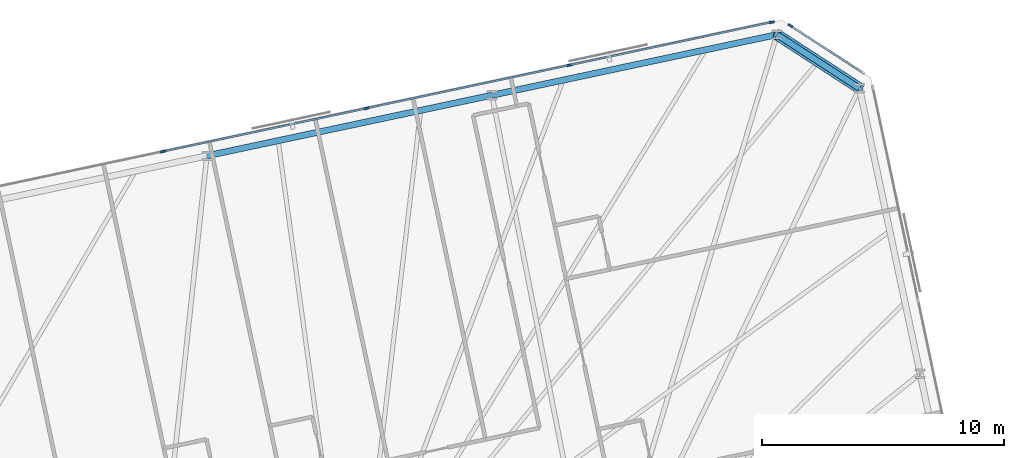
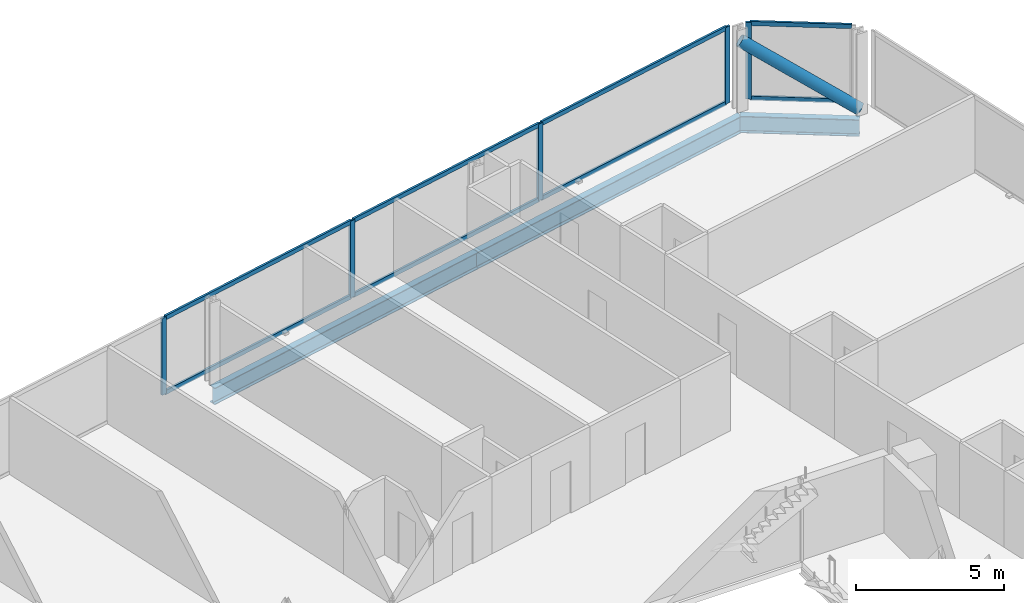
# One storey, part 11 of 20: 14 members, 3 beams, 2 elements without a shape of their own.
"""IFC4 building model written with IfcOpenShell, lengths in metres."""

from ifc_helpers import new_model, si_unit, direction, frame, origin, origin_2d, place, context, subcontext, project, spatial, rectangle, hollow_circle, i_section, extrude, material, material_profile, profile_set, type_object, element, aggregate, save


model = new_model("IFC4")

# Units and contexts
model_context = context("Model", 3, precision=1e-05, world=origin(), true_north=direction((0.0, 1.0)))
body_context = subcontext(model_context, "Body", "Model", "MODEL_VIEW")
ifc_project = project(units=[si_unit("LENGTHUNIT", "METRE"), si_unit("AREAUNIT", "SQUARE_METRE"), si_unit("VOLUMEUNIT", "CUBIC_METRE"), si_unit("PLANEANGLEUNIT", "RADIAN"), si_unit("MASSUNIT", "GRAM", prefix="KILO")], contexts=[model_context])

# Site, building, storey
site_placement = place(None, origin())
site = spatial("IfcSite", under=ifc_project, at=site_placement, CompositionType="ELEMENT")
building_placement = place(site_placement, origin())
building = spatial("IfcBuilding", under=site, at=building_placement, Name="Menara Jurai Vektor", CompositionType="ELEMENT")
storey_placement = place(building_placement, frame((0.0, 0.0, 185.39990234375)))
storey = spatial("IfcBuildingStorey", under=building, at=storey_placement, Name="L48", CompositionType="ELEMENT", Elevation=185.39990234375)

# Curtain wall, member
ifc_material_1 = material(Name="Anodised Pale Aluminium & Low-E Double Glazing", Category="aluminium")
curtain_wall_type = type_object("IfcCurtainWallType", Name="CW-BLK3", PredefinedType="NOTDEFINED", material=ifc_material_1)
curtain_wall_1_placement = place(storey_placement, origin())
curtain_wall_1 = element("IfcCurtainWall", 1, at=curtain_wall_1_placement, inside=storey, type_object=curtain_wall_type, Name="Unitised Curtain Wall L48 F04", PredefinedType="NOTDEFINED")
ifc_material_2 = material(Name="Anodised Pale Aluminium Mullion", Category="aluminium")
ifc_material_profile_1 = material_profile(ifc_material_2, rectangle(XDim=0.0849609375, YDim=0.205078125, at=origin_2d()), Name="ALU MUL 85x205")
ifc_profile_set_1 = profile_set([ifc_material_profile_1], Name="Anodised Pale Aluminium Mullion")
member_type_1 = type_object("IfcMemberType", Name="CW-BLK3-MUL", PredefinedType="MULLION", material=ifc_profile_set_1)
member_1_placement = place(storey_placement, frame((23.219970703125, 29.920654296875, 0.0), z_axis=(0.0, 0.0, 1.0), x_axis=(-0.544617794346, -0.838684361415, 0.0)))
member_1 = element("IfcMember", 2, at=member_1_placement, type_object=member_type_1, Name="CW-03 mullion 2", PredefinedType="MULLION", context=body_context, shape_type="SweptSolid", body=[
    extrude(rectangle(XDim=0.0849609375, YDim=0.205078125, at=origin_2d()), origin(), (0.0, 0.0, 1.0), 3.175048828125),
])

# Curtain wall, members
curtain_wall_2_placement = place(storey_placement, origin())
curtain_wall_2 = element("IfcCurtainWall", 3, at=curtain_wall_2_placement, inside=storey, type_object=curtain_wall_type, Name="Unitised Curtain Wall L48 F05", PredefinedType="NOTDEFINED")
member_2_placement = place(storey_placement, frame((22.452392578125, 30.062744140625, 0.0), z_axis=(0.0, 0.0, 1.0), x_axis=(0.207911344156, -0.978147674419, 0.0)))
member_2 = element("IfcMember", 4, at=member_2_placement, type_object=member_type_1, Name="CW-03 mullion 1", PredefinedType="MULLION", context=body_context, shape_type="SweptSolid", body=[
    extrude(rectangle(XDim=0.0849609375, YDim=0.205078125, at=origin_2d()), origin(), (0.0, 0.0, 1.0), 3.175048828125),
])
member_3_placement = place(storey_placement, frame((14.104248046875, 28.288330078125, 0.0), z_axis=(0.0, 0.0, 1.0), x_axis=(0.207911344156, -0.978147674419, 0.0)))
member_3 = element("IfcMember", 5, at=member_3_placement, type_object=member_type_1, Name="CW-03 mullion 2", PredefinedType="MULLION", context=body_context, shape_type="SweptSolid", body=[
    extrude(rectangle(XDim=0.0849609375, YDim=0.205078125, at=origin_2d()), origin(), (0.0, 0.0, 1.0), 3.175048828125),
])
member_4_placement = place(storey_placement, frame((5.71435546875, 26.505126953125, 0.0), z_axis=(0.0, 0.0, 1.0), x_axis=(0.207911344156, -0.978147674419, 0.0)))
member_4 = element("IfcMember", 6, at=member_4_placement, type_object=member_type_1, Name="CW-03 mullion 3", PredefinedType="MULLION", context=body_context, shape_type="SweptSolid", body=[
    extrude(rectangle(XDim=0.0849609375, YDim=0.205078125, at=origin_2d()), origin(), (0.0, 0.0, 1.0), 3.175048828125),
])
member_5_placement = place(storey_placement, frame((-2.67529296875, 24.721923828125, 0.0), z_axis=(0.0, 0.0, 1.0), x_axis=(0.207911344156, -0.978147674419, 0.0)))
member_5 = element("IfcMember", 7, at=member_5_placement, type_object=member_type_1, Name="CW-03 mullion 4", PredefinedType="MULLION", context=body_context, shape_type="SweptSolid", body=[
    extrude(rectangle(XDim=0.0849609375, YDim=0.205078125, at=origin_2d()), origin(), (0.0, 0.0, 1.0), 3.175048828125),
])

# Member
ifc_material_3 = material(Name="Anodised Pale Aluminium Transom", Category="aluminium")
ifc_material_profile_2 = material_profile(ifc_material_3, rectangle(XDim=0.0849609375, YDim=0.175048828125, at=origin_2d()), Name="ALU TRN 85x175")
ifc_profile_set_2 = profile_set([ifc_material_profile_2], Name="Anodised Pale Aluminium Transom")
member_type_2 = type_object("IfcMemberType", Name="CW-BLK3-TRN", PredefinedType="USERDEFINED", material=ifc_profile_set_2)
member_6_placement = place(storey_placement, frame((26.15234375, 28.016357421875, 0.04248046875), z_axis=(-0.83867770631, 0.54462804274, 0.0), x_axis=(-0.54462804274, -0.83867770631, 0.0)))
member_6 = element("IfcMember", 8, at=member_6_placement, type_object=member_type_2, Name="CW-03 transom 1.1", ObjectType="TRANSOM", PredefinedType="USERDEFINED", context=body_context, shape_type="SweptSolid", body=[
    extrude(rectangle(XDim=0.0849609375, YDim=0.175048828125, at=origin_2d()), origin(), (0.0, 0.0, 1.0), 3.453857421875),
])

member_7_placement = place(storey_placement, frame((26.15234375, 28.016357421875, 3.132568359375), z_axis=(-0.83867770631, 0.54462804274, 0.0), x_axis=(-0.54462804274, -0.83867770631, 0.0)))
member_7 = element("IfcMember", 9, at=member_7_placement, type_object=member_type_2, Name="CW-03 transom 1.2", ObjectType="TRANSOM", PredefinedType="USERDEFINED", context=body_context, shape_type="SweptSolid", body=[
    extrude(rectangle(XDim=0.0849609375, YDim=0.175048828125, at=origin_2d()), origin(), (0.0, 0.0, 1.0), 3.453857421875),
])

aggregate(curtain_wall_1, [member_1, member_6, member_7])

member_8_placement = place(storey_placement, frame((22.41064453125, 30.053955078125, 0.04248046875), z_axis=(-0.978151580361, -0.207892967261, 0.0), x_axis=(0.207892967261, -0.978151580361, 0.0)))
member_8 = element("IfcMember", 10, at=member_8_placement, type_object=member_type_2, Name="CW-03 transom 1.1", ObjectType="TRANSOM", PredefinedType="USERDEFINED", context=body_context, shape_type="SweptSolid", body=[
    extrude(rectangle(XDim=0.0849609375, YDim=0.175048828125, at=origin_2d()), origin(), (0.0, 0.0, 1.0), 8.449462890625),
])

member_9_placement = place(storey_placement, frame((22.41064453125, 30.053955078125, 3.132568359375), z_axis=(-0.978151580361, -0.207892967261, 0.0), x_axis=(0.207892967261, -0.978151580361, 0.0)))
member_9 = element("IfcMember", 11, at=member_9_placement, type_object=member_type_2, Name="CW-03 transom 1.2", ObjectType="TRANSOM", PredefinedType="USERDEFINED", context=body_context, shape_type="SweptSolid", body=[
    extrude(rectangle(XDim=0.0849609375, YDim=0.175048828125, at=origin_2d()), origin(), (0.0, 0.0, 1.0), 8.449462890625),
])

member_10_placement = place(storey_placement, frame((14.0625, 28.279541015625, 0.04248046875), z_axis=(-0.978146500933, -0.207916864907, 0.0), x_axis=(0.207916864907, -0.978146500933, 0.0)))
member_10 = element("IfcMember", 12, at=member_10_placement, type_object=member_type_2, Name="CW-03 transom 2.1", ObjectType="TRANSOM", PredefinedType="USERDEFINED", context=body_context, shape_type="SweptSolid", body=[
    extrude(rectangle(XDim=0.0849609375, YDim=0.175048828125, at=origin_2d()), origin(), (0.0, 0.0, 1.0), 8.491943359375),
])

member_11_placement = place(storey_placement, frame((14.0625, 28.279541015625, 3.132568359375), z_axis=(-0.978146500933, -0.207916864907, 0.0), x_axis=(0.207916864907, -0.978146500933, 0.0)))
member_11 = element("IfcMember", 13, at=member_11_placement, type_object=member_type_2, Name="CW-03 transom 2.2", ObjectType="TRANSOM", PredefinedType="USERDEFINED", context=body_context, shape_type="SweptSolid", body=[
    extrude(rectangle(XDim=0.0849609375, YDim=0.175048828125, at=origin_2d()), origin(), (0.0, 0.0, 1.0), 8.491943359375),
])

member_12_placement = place(storey_placement, frame((5.6728515625, 26.496337890625, 0.04248046875), z_axis=(-0.978147743708, -0.207911018178, 0.0), x_axis=(0.207911018178, -0.978147743708, 0.0)))
member_12 = element("IfcMember", 14, at=member_12_placement, type_object=member_type_2, Name="CW-03 transom 3.1", ObjectType="TRANSOM", PredefinedType="USERDEFINED", context=body_context, shape_type="SweptSolid", body=[
    extrude(rectangle(XDim=0.0849609375, YDim=0.175048828125, at=origin_2d()), origin(), (0.0, 0.0, 1.0), 8.4921875),
])

member_13_placement = place(storey_placement, frame((5.6728515625, 26.496337890625, 3.132568359375), z_axis=(-0.978147743708, -0.207911018178, 0.0), x_axis=(0.207911018178, -0.978147743708, 0.0)))
member_13 = element("IfcMember", 15, at=member_13_placement, type_object=member_type_2, Name="CW-03 transom 3.2", ObjectType="TRANSOM", PredefinedType="USERDEFINED", context=body_context, shape_type="SweptSolid", body=[
    extrude(rectangle(XDim=0.0849609375, YDim=0.175048828125, at=origin_2d()), origin(), (0.0, 0.0, 1.0), 8.4921875),
])

aggregate(curtain_wall_2, [member_2, member_3, member_4, member_5, member_8, member_9, member_10, member_11, member_12, member_13])

ifc_material_4 = material(Name="Steel S460", Category="steel")
ifc_material_profile_3 = material_profile(ifc_material_4, hollow_circle(Radius=0.228515625, WallThickness=0.01611328125, at=origin_2d()), Name="CHS 457x16")
ifc_profile_set_3 = profile_set([ifc_material_profile_3], Name="Steel S460")
member_type_3 = type_object("IfcMemberType", Name="STR-BR-457", PredefinedType="BRACE", material=ifc_profile_set_3)
member_14_placement = place(storey_placement, frame((26.0712890625, 27.33349609375, 0.150146484375), z_axis=(-0.700418818423, 0.454848055166, 0.550024295382), x_axis=(-0.544631249681, -0.838675623749, 0.0)))
element("IfcMember", 16, at=member_14_placement, inside=storey, type_object=member_type_3, Name="Exoskeleton Corner Brace L48-2", PredefinedType="BRACE", context=body_context, shape_type="SweptSolid", body=[
    extrude(hollow_circle(Radius=0.228515625, WallThickness=0.01611328125, at=origin_2d()), origin(), (0.0, 0.0, 1.0), 4.863525390625),
])

# Beams
ifc_material_profile_4 = material_profile(ifc_material_4, i_section(OverallWidth=0.256103515625, OverallDepth=0.693115234375, WebThickness=0.013916015625, FlangeThickness=0.02392578125, FilletRadius=0.014892578125, at=origin_2d()), Name="UKB 686x254x170")
ifc_profile_set_4 = profile_set([ifc_material_profile_4], Name="Steel S460")
beam_type = type_object("IfcBeamType", Name="STR-SP-686", PredefinedType="SPANDREL", material=ifc_profile_set_4)
beam_1_placement = place(storey_placement, frame((26.0712890625, 27.33349609375, -0.5712890625), z_axis=(-0.838675623749, 0.544631249681, 0.0), x_axis=(-0.544631249681, -0.838675623749, 0.0)))
element("IfcBeam", 17, at=beam_1_placement, inside=storey, type_object=beam_type, Name="Exoskeleton Spandrel Beam L48-10", PredefinedType="SPANDREL", context=body_context, shape_type="SweptSolid", body=[
    extrude(i_section(OverallWidth=0.256103515625, OverallDepth=0.693115234375, WebThickness=0.013916015625, FlangeThickness=0.02392578125, FilletRadius=0.014892578125, at=origin_2d()), origin(), (0.0, 0.0, 1.0), 4.061767578125),
])
beam_2_placement = place(storey_placement, frame((22.664794921875, 29.545654296875, -0.5712890625), z_axis=(-0.978147039247, -0.207914332389, 0.0), x_axis=(0.207914332389, -0.978147039247, 0.0)))
element("IfcBeam", 18, at=beam_2_placement, inside=storey, type_object=beam_type, Name="Exoskeleton Spandrel Beam L48-11", PredefinedType="SPANDREL", context=body_context, shape_type="SweptSolid", body=[
    extrude(i_section(OverallWidth=0.256103515625, OverallDepth=0.693115234375, WebThickness=0.013916015625, FlangeThickness=0.02392578125, FilletRadius=0.014892578125, at=origin_2d()), origin(), (0.0, 0.0, 1.0), 12.03125),
])
beam_3_placement = place(storey_placement, frame((10.896484375, 27.044189453125, -0.5712890625), z_axis=(-0.978150288855, -0.207899043801, 0.0), x_axis=(0.207899043801, -0.978150288855, 0.0)))
element("IfcBeam", 19, at=beam_3_placement, inside=storey, type_object=beam_type, Name="Exoskeleton Spandrel Beam L48-12", PredefinedType="SPANDREL", context=body_context, shape_type="SweptSolid", body=[
    extrude(i_section(OverallWidth=0.256103515625, OverallDepth=0.693115234375, WebThickness=0.013916015625, FlangeThickness=0.02392578125, FilletRadius=0.014892578125, at=origin_2d()), origin(), (0.0, 0.0, 1.0), 12.031005859375),
])

save(model, "model.ifc")
